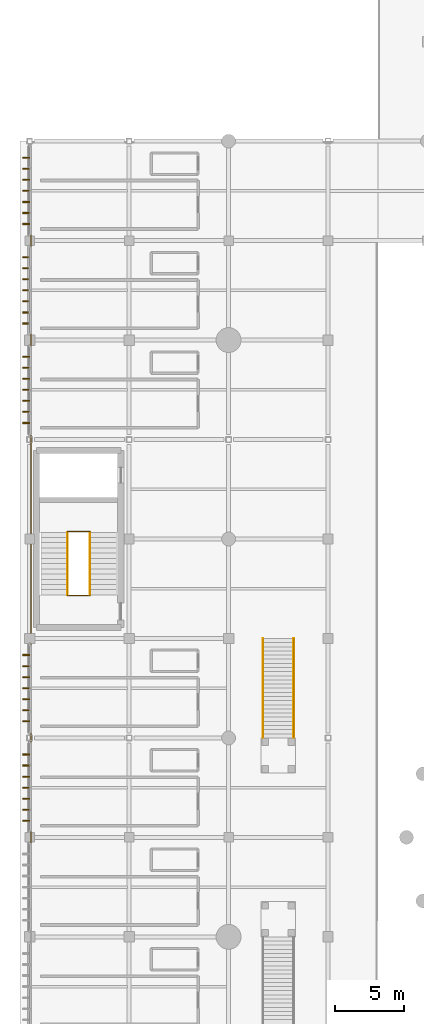
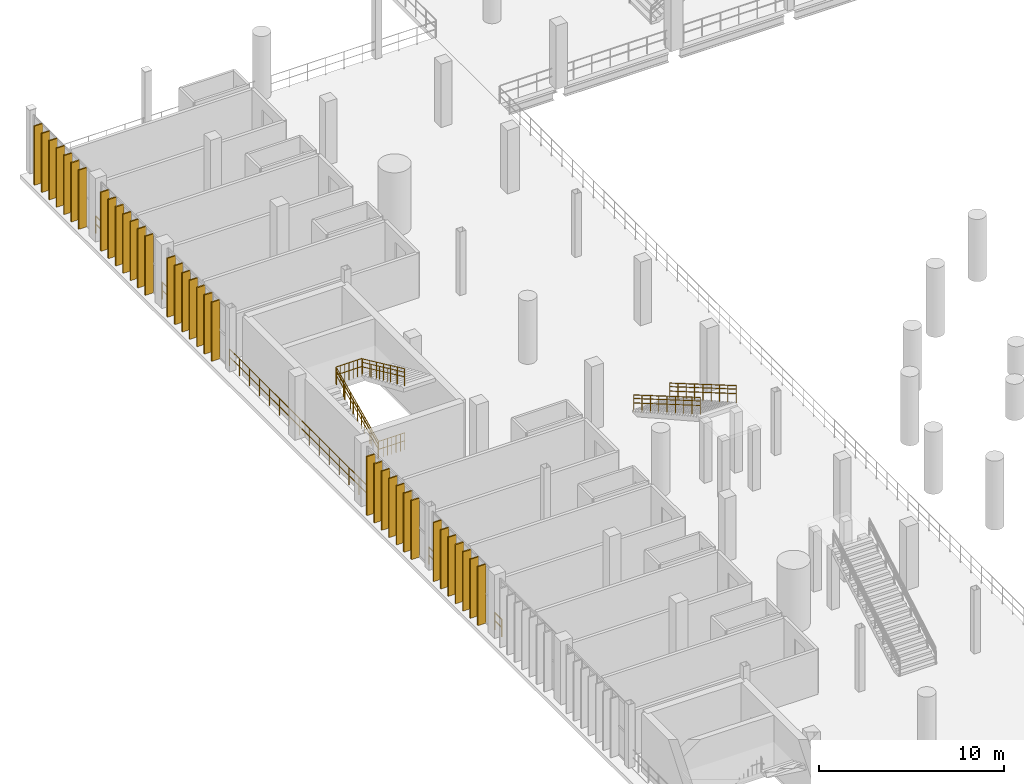
# One storey, part 123 of 130: 35 coverings, 15 railings.
"""IFC4 building model written with IfcOpenShell, lengths in metres."""

from ifc_helpers import new_model, si_unit, direction, frame, origin, origin_2d, place, context, subcontext, project, spatial, rectangle, circle, extrude, material, layer, layer_set, type_object, element, save


model = new_model("IFC4")

# Units and contexts
model_context = context("Model", 3, precision=1e-05, world=origin(), true_north=direction((0.0, 1.0)))
body_context = subcontext(model_context, "Body", "Model", "MODEL_VIEW")
ifc_project = project(units=[si_unit("LENGTHUNIT", "METRE"), si_unit("AREAUNIT", "SQUARE_METRE"), si_unit("VOLUMEUNIT", "CUBIC_METRE"), si_unit("PLANEANGLEUNIT", "RADIAN"), si_unit("MASSUNIT", "GRAM", prefix="KILO")], contexts=[model_context])

# Site, building, storey
site_placement = place(None, origin())
site = spatial("IfcSite", under=ifc_project, at=site_placement, CompositionType="ELEMENT")
building_placement = place(site_placement, origin())
building = spatial("IfcBuilding", under=site, at=building_placement, Name="Qandorah Velis Arena", CompositionType="ELEMENT")
storey_placement = place(building_placement, frame((0.0, 0.0, 9.60009765625)))
storey = spatial("IfcBuildingStorey", under=building, at=storey_placement, Name="L02", CompositionType="ELEMENT", Elevation=9.60009765625)

# Coverings
ifc_material_1 = material(Name="Champagne-bronze anodized aluminium 6063-T6", Category="aluminium")
ifc_layer = layer(ifc_material_1, 0.0849609375)
ifc_layer_set = layer_set([ifc_layer], Name="Champagne-bronze anodized aluminium 6063-T6")
covering_type = type_object("IfcCoveringType", Name="ARC-COV-FIN520", PredefinedType="CLADDING", material=ifc_layer_set)
for number, where, z_axis, x_axis, name in (
    (1, (-0.251953125, 66.0, -0.010009765625), (0.0, 0.0, 1.0), (1.0, 0.0, 0.0), "Vertical champagne-bronze solar fin blade WNG-W-L02-09-001"),
    (2, (-0.251953125, 66.800048828125, -0.010009765625), (0.0, 0.0, 1.0), (1.0, 0.0, 0.0), "Vertical champagne-bronze solar fin blade WNG-W-L02-09-002"),
    (3, (-0.251953125, 67.60009765625, -0.010009765625), (0.0, 0.0, 1.0), (1.0, 0.0, 0.0), "Vertical champagne-bronze solar fin blade WNG-W-L02-09-003"),
    (4, (-0.251953125, 68.39990234375, -0.010009765625), (0.0, 0.0, 1.0), (1.0, 0.0, 0.0), "Vertical champagne-bronze solar fin blade WNG-W-L02-09-004"),
    (5, (-0.251953125, 69.199951171875, -0.010009765625), (0.0, 0.0, 1.0), (1.0, 0.0, 0.0), "Vertical champagne-bronze solar fin blade WNG-W-L02-09-005"),
    (6, (-0.251953125, 70.0, -0.010009765625), (0.0, 0.0, 1.0), (1.0, 0.0, 0.0), "Vertical champagne-bronze solar fin blade WNG-W-L02-09-006"),
    (7, (-0.251953125, 70.800048828125, -0.010009765625), (0.0, 0.0, 1.0), (1.0, 0.0, 0.0), "Vertical champagne-bronze solar fin blade WNG-W-L02-09-007"),
    (8, (-0.251953125, 73.199951171875, -0.010009765625), (0.0, 0.0, 1.0), (1.0, 0.0, 0.0), "Vertical champagne-bronze solar fin blade WNG-W-L02-10-001"),
    (9, (-0.251953125, 74.0, -0.010009765625), (0.0, 0.0, 1.0), (1.0, 0.0, 0.0), "Vertical champagne-bronze solar fin blade WNG-W-L02-10-002"),
    (10, (-0.251953125, 74.800048828125, -0.010009765625), (0.0, 0.0, 1.0), (1.0, 0.0, 0.0), "Vertical champagne-bronze solar fin blade WNG-W-L02-10-003"),
    (11, (-0.251953125, 75.60009765625, -0.010009765625), (0.0, 0.0, 1.0), (1.0, 0.0, 0.0), "Vertical champagne-bronze solar fin blade WNG-W-L02-10-004"),
    (12, (-0.251953125, 76.39990234375, -0.010009765625), (0.0, 0.0, 1.0), (1.0, 0.0, 0.0), "Vertical champagne-bronze solar fin blade WNG-W-L02-10-005"),
    (13, (-0.251953125, 77.199951171875, -0.010009765625), (0.0, 0.0, 1.0), (1.0, 0.0, 0.0), "Vertical champagne-bronze solar fin blade WNG-W-L02-10-006"),
    (14, (-0.251953125, 78.0, -0.010009765625), (0.0, 0.0, 1.0), (1.0, 0.0, 0.0), "Vertical champagne-bronze solar fin blade WNG-W-L02-10-007"),
    (15, (-0.251953125, 94.800048828125, -0.010009765625), (0.0, 0.0, 1.0), (1.0, 0.0, 0.0), "Vertical champagne-bronze solar fin blade WNG-W-L02-13-001"),
    (16, (-0.251953125, 95.60009765625, -0.010009765625), (0.0, 0.0, 1.0), (1.0, 0.0, 0.0), "Vertical champagne-bronze solar fin blade WNG-W-L02-13-002"),
    (17, (-0.251953125, 96.39990234375, -0.010009765625), (0.0, 0.0, 1.0), (1.0, 0.0, 0.0), "Vertical champagne-bronze solar fin blade WNG-W-L02-13-003"),
    (18, (-0.251953125, 97.199951171875, -0.010009765625), (0.0, 0.0, 1.0), (1.0, 0.0, 0.0), "Vertical champagne-bronze solar fin blade WNG-W-L02-13-004"),
    (19, (-0.251953125, 98.0, -0.010009765625), (0.0, 0.0, 1.0), (1.0, 0.0, 0.0), "Vertical champagne-bronze solar fin blade WNG-W-L02-13-005"),
    (20, (-0.251953125, 98.800048828125, -0.010009765625), (0.0, 0.0, 1.0), (1.0, 0.0, 0.0), "Vertical champagne-bronze solar fin blade WNG-W-L02-13-006"),
    (21, (-0.251953125, 99.60009765625, -0.010009765625), (0.0, 0.0, 1.0), (1.0, 0.0, 0.0), "Vertical champagne-bronze solar fin blade WNG-W-L02-13-007"),
    (22, (-0.251953125, 102.0, -0.010009765625), (0.0, 0.0, 1.0), (1.0, 0.0, 0.0), "Vertical champagne-bronze solar fin blade WNG-W-L02-14-001"),
    (23, (-0.251953125, 102.800048828125, -0.010009765625), (0.0, 0.0, 1.0), (1.0, 0.0, 0.0), "Vertical champagne-bronze solar fin blade WNG-W-L02-14-002"),
    (24, (-0.251953125, 103.60009765625, -0.010009765625), (0.0, 0.0, 1.0), (1.0, 0.0, 0.0), "Vertical champagne-bronze solar fin blade WNG-W-L02-14-003"),
    (25, (-0.251953125, 104.39990234375, -0.010009765625), (0.0, 0.0, 1.0), (1.0, 0.0, 0.0), "Vertical champagne-bronze solar fin blade WNG-W-L02-14-004"),
    (26, (-0.251953125, 105.199951171875, -0.010009765625), (0.0, 0.0, 1.0), (1.0, 0.0, 0.0), "Vertical champagne-bronze solar fin blade WNG-W-L02-14-005"),
    (27, (-0.251953125, 106.0, -0.010009765625), (0.0, 0.0, 1.0), (1.0, 0.0, 0.0), "Vertical champagne-bronze solar fin blade WNG-W-L02-14-006"),
    (28, (-0.251953125, 106.800048828125, -0.010009765625), (0.0, 0.0, 1.0), (1.0, 0.0, 0.0), "Vertical champagne-bronze solar fin blade WNG-W-L02-14-007"),
    (29, (-0.251953125, 109.199951171875, -0.010009765625), (0.0, 0.0, 1.0), (1.0, 0.0, 0.0), "Vertical champagne-bronze solar fin blade WNG-W-L02-15-001"),
    (30, (-0.251953125, 110.0, -0.010009765625), (0.0, 0.0, 1.0), (1.0, 0.0, 0.0), "Vertical champagne-bronze solar fin blade WNG-W-L02-15-002"),
    (31, (-0.251953125, 110.800048828125, -0.010009765625), (0.0, 0.0, 1.0), (1.0, 0.0, 0.0), "Vertical champagne-bronze solar fin blade WNG-W-L02-15-003"),
    (32, (-0.251953125, 111.60009765625, -0.010009765625), (0.0, 0.0, 1.0), (1.0, 0.0, 0.0), "Vertical champagne-bronze solar fin blade WNG-W-L02-15-004"),
    (33, (-0.251953125, 112.39990234375, -0.010009765625), (0.0, 0.0, 1.0), (1.0, 0.0, 0.0), "Vertical champagne-bronze solar fin blade WNG-W-L02-15-005"),
    (34, (-0.251953125, 113.199951171875, -0.010009765625), (0.0, 0.0, 1.0), (1.0, 0.0, 0.0), "Vertical champagne-bronze solar fin blade WNG-W-L02-15-006"),
    (35, (-0.251953125, 114.0, -0.010009765625), (0.0, 0.0, 1.0), (1.0, 0.0, 0.0), "Vertical champagne-bronze solar fin blade WNG-W-L02-15-007"),
):
    element("IfcCovering", number, at=place(storey_placement, frame(where, z_axis=z_axis, x_axis=x_axis)), inside=storey, type_object=covering_type, Name=name, PredefinedType="CLADDING", context=body_context, shape_type="SweptSolid", body=[
        extrude(rectangle(XDim=0.52001953125, YDim=0.0849609375, at=origin_2d()), origin(), (0.0, 0.0, 1.0), 3.89990234375),
    ])

# Railings
ifc_material_2 = material(Name="Stainless steel 316", Category="steel")
railing_type_1 = type_object("IfcRailingType", Name="ARC-RL-GRD1150", PredefinedType="GUARDRAIL", material=ifc_material_2)
for number, where, name in (
    (36, (2.739990234375, 82.31005859375, 0.0), "Stair ST6 landing well-slot guardrail L02"),
    (37, (2.739990234375, 86.946044921875, 2.099853515625), "Stair ST6 well guardrail (L02)"),
):
    element("IfcRailing", number, at=place(storey_placement, frame(where)), inside=storey, type_object=railing_type_1, Name=name, PredefinedType="GUARDRAIL", context=body_context, shape_type="SweptSolid", body=[
        extrude(circle(Radius=0.02392578125, at=origin_2d()), frame((0.0, 0.0, 1.1259765625), z_axis=(1.0, 0.0, 0.0), x_axis=(0.0, 1.0, 0.0)), (0.0, 0.0, 1.0), 1.6201171875),
        extrude(circle(Radius=0.02392578125, at=origin_2d()), frame((0.0, 0.0, 0.597900390625), z_axis=(1.0, 0.0, 0.0), x_axis=(0.0, 1.0, 0.0)), (0.0, 0.0, 1.0), 1.6201171875),
        extrude(circle(Radius=0.02099609375, at=origin_2d()), origin(), (0.0, 0.0, 1.0), 1.101806640625),
        extrude(circle(Radius=0.02099609375, at=origin_2d()), frame((0.27001953125, 0.0, 0.0)), (0.0, 0.0, 1.0), 1.101806640625),
        extrude(circle(Radius=0.02099609375, at=origin_2d()), frame((0.5400390625, 0.0, 0.0)), (0.0, 0.0, 1.0), 1.101806640625),
        extrude(circle(Radius=0.02099609375, at=origin_2d()), frame((0.81005859375, 0.0, 0.0)), (0.0, 0.0, 1.0), 1.101806640625),
        extrude(circle(Radius=0.02099609375, at=origin_2d()), frame((1.080078125, 0.0, 0.0)), (0.0, 0.0, 1.0), 1.101806640625),
        extrude(circle(Radius=0.02099609375, at=origin_2d()), frame((1.35009765625, 0.0, 0.0)), (0.0, 0.0, 1.0), 1.101806640625),
        extrude(circle(Radius=0.02099609375, at=origin_2d()), frame((1.6201171875, 0.0, 0.0)), (0.0, 0.0, 1.0), 1.101806640625),
    ])
railing_1_placement = place(storey_placement, frame((2.72998046875, 82.35009765625, 0.0)))
element("IfcRailing", 38, at=railing_1_placement, inside=storey, type_object=railing_type_1, Name="Stair ST6 inner flight 1 guardrail (L02)", PredefinedType="GUARDRAIL", context=body_context, shape_type="SweptSolid", body=[
    extrude(circle(Radius=0.02392578125, at=origin_2d()), frame((0.0, 0.0, 1.1259765625), z_axis=(0.0, 0.907474148765, 0.420107925805), x_axis=(-1.0, 0.0, 0.0)), (0.0, 0.0, 1.0), 4.998291015625),
    extrude(circle(Radius=0.02392578125, at=origin_2d()), frame((0.0, 0.0, 0.597900390625), z_axis=(0.0, 0.907474148765, 0.420107925805), x_axis=(-1.0, 0.0, 0.0)), (0.0, 0.0, 1.0), 4.998291015625),
    extrude(circle(Radius=0.02099609375, at=origin_2d()), origin(), (0.0, 0.0, 1.0), 1.101806640625),
    extrude(circle(Radius=0.02099609375, at=origin_2d()), frame((0.0, 0.755859375, 0.35009765625)), (0.0, 0.0, 1.0), 1.101806640625),
    extrude(circle(Radius=0.02099609375, at=origin_2d()), frame((0.0, 1.511962890625, 0.699951171875)), (0.0, 0.0, 1.0), 1.101806640625),
    extrude(circle(Radius=0.02099609375, at=origin_2d()), frame((0.0, 2.26806640625, 1.0498046875)), (0.0, 0.0, 1.0), 1.101806640625),
    extrude(circle(Radius=0.02099609375, at=origin_2d()), frame((0.0, 3.02392578125, 1.39990234375)), (0.0, 0.0, 1.0), 1.101806640625),
    extrude(circle(Radius=0.02099609375, at=origin_2d()), frame((0.0, 3.77978515625, 1.75)), (0.0, 0.0, 1.0), 1.101806640625),
    extrude(circle(Radius=0.02099609375, at=origin_2d()), frame((0.0, 4.535888671875, 2.099853515625)), (0.0, 0.0, 1.0), 1.101806640625),
])
railing_2_placement = place(storey_placement, frame((4.3701171875, 86.885986328125, 2.099853515625)))
element("IfcRailing", 39, at=railing_2_placement, inside=storey, type_object=railing_type_1, Name="Stair ST6 inner flight 2 guardrail (L02)", PredefinedType="GUARDRAIL", context=body_context, shape_type="SweptSolid", body=[
    extrude(circle(Radius=0.02392578125, at=origin_2d()), frame((0.0, 0.0, 1.1259765625), z_axis=(0.0, -0.907455527081, 0.420148148122), x_axis=(1.0, 0.0, 0.0)), (0.0, 0.0, 1.0), 4.99853515625),
    extrude(circle(Radius=0.02392578125, at=origin_2d()), frame((0.0, 0.0, 0.597900390625), z_axis=(0.0, -0.907455527081, 0.420148148122), x_axis=(1.0, 0.0, 0.0)), (0.0, 0.0, 1.0), 4.99853515625),
    extrude(circle(Radius=0.02099609375, at=origin_2d()), origin(), (0.0, 0.0, 1.0), 1.101806640625),
    extrude(circle(Radius=0.02099609375, at=origin_2d()), frame((0.0, -0.755859375, 0.35009765625)), (0.0, 0.0, 1.0), 1.101806640625),
    extrude(circle(Radius=0.02099609375, at=origin_2d()), frame((0.0, -1.511962890625, 0.699951171875)), (0.0, 0.0, 1.0), 1.101806640625),
    extrude(circle(Radius=0.02099609375, at=origin_2d()), frame((0.0, -2.26806640625, 1.050048828125)), (0.0, 0.0, 1.0), 1.101806640625),
    extrude(circle(Radius=0.02099609375, at=origin_2d()), frame((0.0, -3.02392578125, 1.400146484375)), (0.0, 0.0, 1.0), 1.101806640625),
    extrude(circle(Radius=0.02099609375, at=origin_2d()), frame((0.0, -3.77978515625, 1.75)), (0.0, 0.0, 1.0), 1.101806640625),
    extrude(circle(Radius=0.02099609375, at=origin_2d()), frame((0.0, -4.535888671875, 2.10009765625)), (0.0, 0.0, 1.0), 1.101806640625),
])
for number, where, name in (
    (40, (19.1201171875, 79.199951171875, 0.0), "Vomitory VS16 left guard (L02)"),
    (41, (16.8798828125, 79.199951171875, 0.0), "Vomitory VS16 right guard (L02)"),
):
    element("IfcRailing", number, at=place(storey_placement, frame(where)), inside=storey, type_object=railing_type_1, Name=name, PredefinedType="GUARDRAIL", context=body_context, shape_type="SweptSolid", body=[
        extrude(circle(Radius=0.02392578125, at=origin_2d()), frame((0.0, 0.0, 1.1259765625), z_axis=(0.0, -0.863779963214, 0.503869204407), x_axis=(1.0, 0.0, 0.0)), (0.0, 0.0, 1.0), 8.33544921875),
        extrude(circle(Radius=0.02392578125, at=origin_2d()), frame((0.0, 0.0, 0.597900390625), z_axis=(0.0, -0.863779963214, 0.503869204407), x_axis=(1.0, 0.0, 0.0)), (0.0, 0.0, 1.0), 8.33544921875),
        extrude(circle(Radius=0.02099609375, at=origin_2d()), origin(), (0.0, 0.0, 1.0), 1.101806640625),
        extrude(circle(Radius=0.02099609375, at=origin_2d()), frame((0.0, -0.89990234375, 0.52490234375)), (0.0, 0.0, 1.0), 1.101806640625),
        extrude(circle(Radius=0.02099609375, at=origin_2d()), frame((0.0, -1.800048828125, 1.050048828125)), (0.0, 0.0, 1.0), 1.101806640625),
        extrude(circle(Radius=0.02099609375, at=origin_2d()), frame((0.0, -2.699951171875, 1.574951171875)), (0.0, 0.0, 1.0), 1.101806640625),
        extrude(circle(Radius=0.02099609375, at=origin_2d()), frame((0.0, -3.60009765625, 2.10009765625)), (0.0, 0.0, 1.0), 1.101806640625),
        extrude(circle(Radius=0.02099609375, at=origin_2d()), frame((0.0, -4.5, 2.625)), (0.0, 0.0, 1.0), 1.101806640625),
        extrude(circle(Radius=0.02099609375, at=origin_2d()), frame((0.0, -5.39990234375, 3.14990234375)), (0.0, 0.0, 1.0), 1.101806640625),
        extrude(circle(Radius=0.02099609375, at=origin_2d()), frame((0.0, -6.300048828125, 3.675048828125)), (0.0, 0.0, 1.0), 1.101806640625),
        extrude(circle(Radius=0.02099609375, at=origin_2d()), frame((0.0, -7.199951171875, 4.199951171875)), (0.0, 0.0, 1.0), 1.101806640625),
    ])
railing_3_placement = place(storey_placement, frame((0.10009765625, 64.425048828125, 0.0)))
element("IfcRailing", 42, at=railing_3_placement, inside=storey, type_object=railing_type_1, Name="Slab edge safety guardrail L02-137", PredefinedType="GUARDRAIL", context=body_context, shape_type="SweptSolid", body=[
    extrude(circle(Radius=0.02392578125, at=origin_2d()), frame((0.0, 0.0, 1.1259765625), z_axis=(0.0, 1.0, 0.0), x_axis=(-1.0, 0.0, 0.0)), (0.0, 0.0, 1.0), 0.75),
    extrude(circle(Radius=0.02392578125, at=origin_2d()), frame((0.0, 0.0, 0.597900390625), z_axis=(0.0, 1.0, 0.0), x_axis=(-1.0, 0.0, 0.0)), (0.0, 0.0, 1.0), 0.75),
    extrude(circle(Radius=0.02099609375, at=origin_2d()), origin(), (0.0, 0.0, 1.0), 1.101806640625),
    extrude(circle(Radius=0.02099609375, at=origin_2d()), frame((0.0, 0.75, 0.0)), (0.0, 0.0, 1.0), 1.101806640625),
])
railing_4_placement = place(storey_placement, frame((0.10009765625, 71.699951171875, 0.0)))
element("IfcRailing", 43, at=railing_4_placement, inside=storey, type_object=railing_type_1, Name="Slab edge safety guardrail L02-138", PredefinedType="GUARDRAIL", context=body_context, shape_type="SweptSolid", body=[
    extrude(circle(Radius=0.02392578125, at=origin_2d()), frame((0.0, 0.0, 1.1259765625), z_axis=(0.0, 1.0, 0.0), x_axis=(-1.0, 0.0, 0.0)), (0.0, 0.0, 1.0), 0.60009765625),
    extrude(circle(Radius=0.02392578125, at=origin_2d()), frame((0.0, 0.0, 0.597900390625), z_axis=(0.0, 1.0, 0.0), x_axis=(-1.0, 0.0, 0.0)), (0.0, 0.0, 1.0), 0.60009765625),
    extrude(circle(Radius=0.02099609375, at=origin_2d()), origin(), (0.0, 0.0, 1.0), 1.101806640625),
    extrude(circle(Radius=0.02099609375, at=origin_2d()), frame((0.0, 0.60009765625, 0.0)), (0.0, 0.0, 1.0), 1.101806640625),
])
railing_5_placement = place(storey_placement, frame((0.10009765625, 78.800048828125, 0.0)))
element("IfcRailing", 44, at=railing_5_placement, inside=storey, type_object=railing_type_1, Name="Slab edge safety guardrail L02-139", PredefinedType="GUARDRAIL", context=body_context, shape_type="SweptSolid", body=[
    extrude(circle(Radius=0.02392578125, at=origin_2d()), frame((0.0, 0.0, 1.1259765625), z_axis=(0.0, 1.0, 0.0), x_axis=(-1.0, 0.0, 0.0)), (0.0, 0.0, 1.0), 15.099853515625),
    extrude(circle(Radius=0.02392578125, at=origin_2d()), frame((0.0, 0.0, 0.597900390625), z_axis=(0.0, 1.0, 0.0), x_axis=(-1.0, 0.0, 0.0)), (0.0, 0.0, 1.0), 15.099853515625),
    extrude(circle(Radius=0.02099609375, at=origin_2d()), origin(), (0.0, 0.0, 1.0), 1.101806640625),
    extrude(circle(Radius=0.02099609375, at=origin_2d()), frame((0.0, 1.07861328125, 0.0)), (0.0, 0.0, 1.0), 1.101806640625),
    extrude(circle(Radius=0.02099609375, at=origin_2d()), frame((0.0, 2.1572265625, 0.0)), (0.0, 0.0, 1.0), 1.101806640625),
    extrude(circle(Radius=0.02099609375, at=origin_2d()), frame((0.0, 3.235595703125, 0.0)), (0.0, 0.0, 1.0), 1.101806640625),
    extrude(circle(Radius=0.02099609375, at=origin_2d()), frame((0.0, 4.314208984375, 0.0)), (0.0, 0.0, 1.0), 1.101806640625),
    extrude(circle(Radius=0.02099609375, at=origin_2d()), frame((0.0, 5.392822265625, 0.0)), (0.0, 0.0, 1.0), 1.101806640625),
    extrude(circle(Radius=0.02099609375, at=origin_2d()), frame((0.0, 6.471435546875, 0.0)), (0.0, 0.0, 1.0), 1.101806640625),
    extrude(circle(Radius=0.02099609375, at=origin_2d()), frame((0.0, 7.5498046875, 0.0)), (0.0, 0.0, 1.0), 1.101806640625),
    extrude(circle(Radius=0.02099609375, at=origin_2d()), frame((0.0, 8.62841796875, 0.0)), (0.0, 0.0, 1.0), 1.101806640625),
    extrude(circle(Radius=0.02099609375, at=origin_2d()), frame((0.0, 9.70703125, 0.0)), (0.0, 0.0, 1.0), 1.101806640625),
    extrude(circle(Radius=0.02099609375, at=origin_2d()), frame((0.0, 10.78564453125, 0.0)), (0.0, 0.0, 1.0), 1.101806640625),
    extrude(circle(Radius=0.02099609375, at=origin_2d()), frame((0.0, 11.8642578125, 0.0)), (0.0, 0.0, 1.0), 1.101806640625),
    extrude(circle(Radius=0.02099609375, at=origin_2d()), frame((0.0, 12.942626953125, 0.0)), (0.0, 0.0, 1.0), 1.101806640625),
    extrude(circle(Radius=0.02099609375, at=origin_2d()), frame((0.0, 14.021240234375, 0.0)), (0.0, 0.0, 1.0), 1.101806640625),
    extrude(circle(Radius=0.02099609375, at=origin_2d()), frame((0.0, 15.099853515625, 0.0)), (0.0, 0.0, 1.0), 1.101806640625),
])
railing_6_placement = place(storey_placement, frame((0.10009765625, 100.39990234375, 0.0)))
element("IfcRailing", 45, at=railing_6_placement, inside=storey, type_object=railing_type_1, Name="Slab edge safety guardrail L02-140", PredefinedType="GUARDRAIL", context=body_context, shape_type="SweptSolid", body=[
    extrude(circle(Radius=0.02392578125, at=origin_2d()), frame((0.0, 0.0, 1.1259765625), z_axis=(0.0, 1.0, 0.0), x_axis=(-1.0, 0.0, 0.0)), (0.0, 0.0, 1.0), 0.800048828125),
    extrude(circle(Radius=0.02392578125, at=origin_2d()), frame((0.0, 0.0, 0.597900390625), z_axis=(0.0, 1.0, 0.0), x_axis=(-1.0, 0.0, 0.0)), (0.0, 0.0, 1.0), 0.800048828125),
    extrude(circle(Radius=0.02099609375, at=origin_2d()), origin(), (0.0, 0.0, 1.0), 1.101806640625),
    extrude(circle(Radius=0.02099609375, at=origin_2d()), frame((0.0, 0.800048828125, 0.0)), (0.0, 0.0, 1.0), 1.101806640625),
])
railing_7_placement = place(storey_placement, frame((0.10009765625, 107.625, 0.0)))
element("IfcRailing", 46, at=railing_7_placement, inside=storey, type_object=railing_type_1, Name="Slab edge safety guardrail L02-141", PredefinedType="GUARDRAIL", context=body_context, shape_type="SweptSolid", body=[
    extrude(circle(Radius=0.02392578125, at=origin_2d()), frame((0.0, 0.0, 1.1259765625), z_axis=(0.0, 1.0, 0.0), x_axis=(-1.0, 0.0, 0.0)), (0.0, 0.0, 1.0), 0.75),
    extrude(circle(Radius=0.02392578125, at=origin_2d()), frame((0.0, 0.0, 0.597900390625), z_axis=(0.0, 1.0, 0.0), x_axis=(-1.0, 0.0, 0.0)), (0.0, 0.0, 1.0), 0.75),
    extrude(circle(Radius=0.02099609375, at=origin_2d()), origin(), (0.0, 0.0, 1.0), 1.101806640625),
    extrude(circle(Radius=0.02099609375, at=origin_2d()), frame((0.0, 0.75, 0.0)), (0.0, 0.0, 1.0), 1.101806640625),
])
railing_type_2 = type_object("IfcRailingType", Name="ARC-RL-HND920", PredefinedType="HANDRAIL", material=ifc_material_2)
railing_8_placement = place(storey_placement, frame((2.72998046875, 82.35009765625, 0.0)))
element("IfcRailing", 47, at=railing_8_placement, inside=storey, type_object=railing_type_2, Name="Stair ST6 inner handrail 1 (L02)", PredefinedType="HANDRAIL", context=body_context, shape_type="SweptSolid", body=[
    extrude(circle(Radius=0.02392578125, at=origin_2d()), frame((0.0, 0.0, 0.89599609375), z_axis=(0.0, 0.907474148765, 0.420107925805), x_axis=(-1.0, 0.0, 0.0)), (0.0, 0.0, 1.0), 4.998291015625),
    extrude(circle(Radius=0.02099609375, at=origin_2d()), origin(), (0.0, 0.0, 1.0), 0.871826171875),
    extrude(circle(Radius=0.02099609375, at=origin_2d()), frame((0.0, 0.9072265625, 0.419921875)), (0.0, 0.0, 1.0), 0.871826171875),
    extrude(circle(Radius=0.02099609375, at=origin_2d()), frame((0.0, 1.814453125, 0.83984375)), (0.0, 0.0, 1.0), 0.871826171875),
    extrude(circle(Radius=0.02099609375, at=origin_2d()), frame((0.0, 2.721435546875, 1.260009765625)), (0.0, 0.0, 1.0), 0.871826171875),
    extrude(circle(Radius=0.02099609375, at=origin_2d()), frame((0.0, 3.628662109375, 1.679931640625)), (0.0, 0.0, 1.0), 0.871826171875),
    extrude(circle(Radius=0.02099609375, at=origin_2d()), frame((0.0, 4.535888671875, 2.099853515625)), (0.0, 0.0, 1.0), 0.871826171875),
])
railing_9_placement = place(storey_placement, frame((4.3701171875, 86.885986328125, 2.099853515625)))
element("IfcRailing", 48, at=railing_9_placement, inside=storey, type_object=railing_type_2, Name="Stair ST6 inner handrail 2 (L02)", PredefinedType="HANDRAIL", context=body_context, shape_type="SweptSolid", body=[
    extrude(circle(Radius=0.02392578125, at=origin_2d()), frame((0.0, 0.0, 0.89599609375), z_axis=(0.0, -0.907455527081, 0.420148148122), x_axis=(1.0, 0.0, 0.0)), (0.0, 0.0, 1.0), 4.99853515625),
    extrude(circle(Radius=0.02099609375, at=origin_2d()), origin(), (0.0, 0.0, 1.0), 0.871826171875),
    extrude(circle(Radius=0.02099609375, at=origin_2d()), frame((0.0, -0.9072265625, 0.419921875)), (0.0, 0.0, 1.0), 0.871826171875),
    extrude(circle(Radius=0.02099609375, at=origin_2d()), frame((0.0, -1.814453125, 0.840087890625)), (0.0, 0.0, 1.0), 0.871826171875),
    extrude(circle(Radius=0.02099609375, at=origin_2d()), frame((0.0, -2.721435546875, 1.260009765625)), (0.0, 0.0, 1.0), 0.871826171875),
    extrude(circle(Radius=0.02099609375, at=origin_2d()), frame((0.0, -3.628662109375, 1.68017578125)), (0.0, 0.0, 1.0), 0.871826171875),
    extrude(circle(Radius=0.02099609375, at=origin_2d()), frame((0.0, -4.535888671875, 2.10009765625)), (0.0, 0.0, 1.0), 0.871826171875),
])
for number, where, name in (
    (49, (19.1201171875, 79.199951171875, 0.0), "Vomitory VS16 left handrail"),
    (50, (16.8798828125, 79.199951171875, 0.0), "Vomitory VS16 right handrail"),
):
    element("IfcRailing", number, at=place(storey_placement, frame(where)), inside=storey, type_object=railing_type_2, Name=name, PredefinedType="HANDRAIL", context=body_context, shape_type="SweptSolid", body=[
        extrude(circle(Radius=0.02392578125, at=origin_2d()), frame((0.0, 0.0, 0.89599609375), z_axis=(0.0, -0.863779963214, 0.503869204407), x_axis=(1.0, 0.0, 0.0)), (0.0, 0.0, 1.0), 8.33544921875),
        extrude(circle(Radius=0.02099609375, at=origin_2d()), origin(), (0.0, 0.0, 1.0), 0.871826171875),
        extrude(circle(Radius=0.02099609375, at=origin_2d()), frame((0.0, -0.89990234375, 0.52490234375)), (0.0, 0.0, 1.0), 0.871826171875),
        extrude(circle(Radius=0.02099609375, at=origin_2d()), frame((0.0, -1.800048828125, 1.050048828125)), (0.0, 0.0, 1.0), 0.871826171875),
        extrude(circle(Radius=0.02099609375, at=origin_2d()), frame((0.0, -2.699951171875, 1.574951171875)), (0.0, 0.0, 1.0), 0.871826171875),
        extrude(circle(Radius=0.02099609375, at=origin_2d()), frame((0.0, -3.60009765625, 2.10009765625)), (0.0, 0.0, 1.0), 0.871826171875),
        extrude(circle(Radius=0.02099609375, at=origin_2d()), frame((0.0, -4.5, 2.625)), (0.0, 0.0, 1.0), 0.871826171875),
        extrude(circle(Radius=0.02099609375, at=origin_2d()), frame((0.0, -5.39990234375, 3.14990234375)), (0.0, 0.0, 1.0), 0.871826171875),
        extrude(circle(Radius=0.02099609375, at=origin_2d()), frame((0.0, -6.300048828125, 3.675048828125)), (0.0, 0.0, 1.0), 0.871826171875),
        extrude(circle(Radius=0.02099609375, at=origin_2d()), frame((0.0, -7.199951171875, 4.199951171875)), (0.0, 0.0, 1.0), 0.871826171875),
    ])

save(model, "model.ifc")
